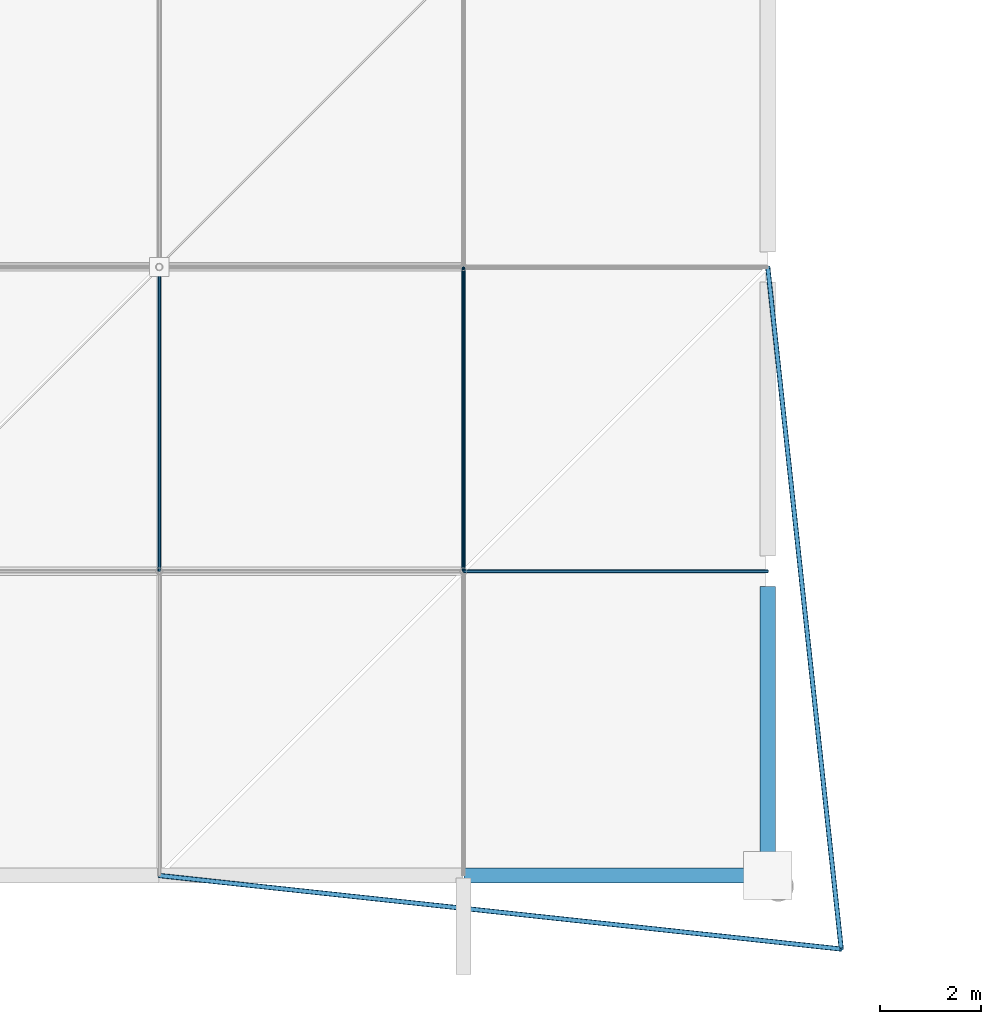
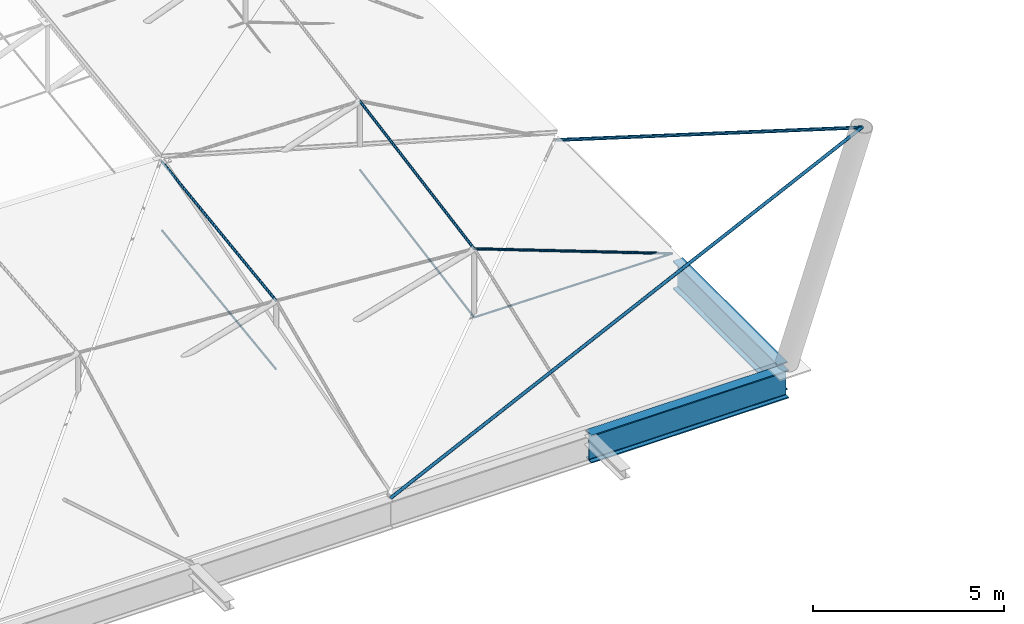
# One storey, part 35 of 132: 8 members, 2 beams.
"""IFC4 building model written with IfcOpenShell, lengths in metres."""

import ifcopenshell
import ifcopenshell.guid

model = None  # the IFC model being written
_history = None  # IfcOwnerHistory: only IFC2X3 demands one
_inside = {}  # id of a spatial element -> (the spatial element, [elements in it])
_under = {}  # id of a project, library or spatial element -> (it, [spatial elements below it])
_declared = {}  # id of a project -> (the project, [libraries it declares])
_typed = {}  # id of a type object -> (the type object, [elements of that type])
_made_of = {}  # id of a material, layer set ... -> (it, [elements and type objects made of it])


def new_model(schema):
    """Start an empty IFC model of exactly this schema.

    Asked for "IFC4X3", IfcOpenShell would pick the latest addendum, in which some entities
    have other attributes; the version numbers below select the first issue.
    IFC2X3 requires an IfcOwnerHistory on every rooted entity: one is made here for all.
    """
    global model, _history
    if schema == "IFC4X3":
        model = ifcopenshell.file(schema_version=(4, 3, 0, 0))
    else:
        model = ifcopenshell.file(schema=schema)
    _inside.clear()
    _under.clear()
    _declared.clear()
    _typed.clear()
    _made_of.clear()
    _history = None
    if model.schema == "IFC2X3":
        org = make("IfcOrganization", Name="unknown")
        user = make(
            "IfcPersonAndOrganization",
            ThePerson=make("IfcPerson", FamilyName="unknown"),
            TheOrganization=org,
        )
        app = make(
            "IfcApplication",
            ApplicationDeveloper=org,
            Version="unknown",
            ApplicationFullName="unknown",
            ApplicationIdentifier="unknown",
        )
        _history = make(
            "IfcOwnerHistory",
            OwningUser=user,
            OwningApplication=app,
            ChangeAction="ADDED",
            CreationDate=0,
        )
    return model


def make(cls, **values):
    """One entity of the class cls with the attributes given. An attribute that is None is left unset."""
    return model.create_entity(
        cls, **{name: value for name, value in values.items() if value is not None}
    )


def rooted(cls, **values):
    """An entity with a GlobalId (a new one), such as an element, a storey or a relation."""
    return make(cls, GlobalId=ifcopenshell.guid.new(), OwnerHistory=_history, **values)


def si_unit(unit_type, name, prefix=None):
    """IfcSIUnit, for example si_unit("LENGTHUNIT", "METRE", prefix="MILLI")."""
    return make("IfcSIUnit", UnitType=unit_type, Prefix=prefix, Name=name)


def assignment(units):
    """IfcUnitAssignment: the units of a project."""
    return None if units is None else make("IfcUnitAssignment", Units=units)


def point(xyz):
    """IfcCartesianPoint."""
    return None if xyz is None else make("IfcCartesianPoint", Coordinates=xyz)


def direction(xyz):
    """IfcDirection."""
    return None if xyz is None else make("IfcDirection", DirectionRatios=xyz)


def frame(location, z_axis=None, x_axis=None):
    """IfcAxis2Placement3D, a coordinate frame: its origin and axes. An axis left out is left unset."""
    return make(
        "IfcAxis2Placement3D",
        Location=point(location),
        Axis=direction(z_axis),
        RefDirection=direction(x_axis),
    )


def frame_2d(location, x_axis=None):
    """IfcAxis2Placement2D, a coordinate frame in the plane: its origin and x axis."""
    return make(
        "IfcAxis2Placement2D", Location=point(location), RefDirection=direction(x_axis)
    )


def origin():
    """The frame at (0, 0, 0) with its axes left unset."""
    return frame((0.0, 0.0, 0.0))


def origin_2d():
    """The frame at (0, 0) in the plane with its x axis left unset."""
    return frame_2d((0.0, 0.0))


def place(relative_to, where):
    """IfcLocalPlacement: puts the frame where relative to a parent placement (None: the world)."""
    return make(
        "IfcLocalPlacement", PlacementRelTo=relative_to, RelativePlacement=where
    )


def context(
    kind, dimensions, precision=None, world=None, true_north=None, identifier=None
):
    """IfcGeometricRepresentationContext, for example the 3D "Model" context."""
    return make(
        "IfcGeometricRepresentationContext",
        ContextIdentifier=identifier,
        ContextType=kind,
        CoordinateSpaceDimension=dimensions,
        Precision=precision,
        WorldCoordinateSystem=world,
        TrueNorth=true_north,
    )


def subcontext(parent, identifier, kind, view, scale=None):
    """IfcGeometricRepresentationSubContext, for example "Body" below "Model"."""
    return make(
        "IfcGeometricRepresentationSubContext",
        ContextIdentifier=identifier,
        ContextType=kind,
        ParentContext=parent,
        TargetScale=scale,
        TargetView=view,
    )


def project(units=None, contexts=None):
    """IfcProject with its units and contexts."""
    return rooted(
        "IfcProject",
        Name="project",
        RepresentationContexts=contexts,
        UnitsInContext=assignment(units),
    )


def spatial(cls, under=None, at=None, **own):
    """A site, building, storey or space (cls), placed at a placement, below another one or the project."""
    s = rooted(cls, ObjectPlacement=at, **own)
    if under is not None:
        _under.setdefault(under.id(), (under, []))[1].append(s)
    return s


def profile(cls, at=None, kind="AREA", **sizes):
    """A parametric profile (cls). Its sizes go by their IFC names, for example OverallWidth=200.0."""
    return make(cls, ProfileType=kind, Position=at, **sizes)


def circle(**sizes):
    """IfcCircleProfileDef."""
    return profile("IfcCircleProfileDef", **sizes)


def i_section(**sizes):
    """IfcIShapeProfileDef."""
    return profile("IfcIShapeProfileDef", **sizes)


def extrude(swept, where, along, depth):
    """IfcExtrudedAreaSolid: the profile swept, set in the frame where, extruded along a direction by depth."""
    return make(
        "IfcExtrudedAreaSolid",
        SweptArea=swept,
        Position=where,
        ExtrudedDirection=direction(along),
        Depth=depth,
    )


def shape(context_of_items, identifier, shape_type, items):
    """IfcShapeRepresentation: the items that make up one representation, for example the "Body"."""
    return make(
        "IfcShapeRepresentation",
        ContextOfItems=context_of_items,
        RepresentationIdentifier=identifier,
        RepresentationType=shape_type,
        Items=items,
    )


def material(Name=None, Category=None):
    """IfcMaterial."""
    return make("IfcMaterial", Name=Name, Category=Category)


def material_profile(
    of_material, cross_section, Name=None, Category=None, Priority=None
):
    """IfcMaterialProfile: a cross section and its material."""
    return make(
        "IfcMaterialProfile",
        Name=Name,
        Material=of_material,
        Profile=cross_section,
        Priority=Priority,
        Category=Category,
    )


def profile_set(profiles, Name=None, composite=None):
    """IfcMaterialProfileSet."""
    return make(
        "IfcMaterialProfileSet",
        Name=Name,
        MaterialProfiles=profiles,
        CompositeProfile=composite,
    )


def made_of(thing, what):
    """Note that an element or type object is made of a material, layer set ...; save() writes the relation."""
    if what is not None:
        _made_of.setdefault(what.id(), (what, []))[1].append(thing)
    return thing


def type_object(cls, material=None, **own):
    """A type object (cls), such as IfcWallType, which elements share."""
    return made_of(rooted(cls, **own), material)


def element(
    cls,
    number,
    at=None,
    inside=None,
    cuts=None,
    type_object=None,
    material=None,
    context=None,
    identifier="Body",
    shape_type=None,
    held_by="IfcProductDefinitionShape",
    body=None,
    shapes=None,
    **own,
):
    """One element of the class cls, such as IfcWall. Its Tag is "e" and its number.

    at: its placement. inside: the storey or other place that contains it. cuts: it is an
    opening in that element (IfcRelVoidsElement). A single representation is given by context,
    identifier, shape_type and body (its items); several are given by shapes. held_by: the class
    of the entity that holds the representations. save() writes the other relations.
    """
    e = rooted(cls, Tag="e%d" % number, ObjectPlacement=at, **own)
    if body is not None:
        shapes = [shape(context, identifier, shape_type, body)]
    if shapes is not None:
        e.Representation = make(held_by, Representations=shapes)
    if inside is not None:
        _inside.setdefault(inside.id(), (inside, []))[1].append(e)
    if cuts is not None:
        rooted(
            "IfcRelVoidsElement", RelatingBuildingElement=cuts, RelatedOpeningElement=e
        )
    if type_object is not None:
        _typed.setdefault(type_object.id(), (type_object, []))[1].append(e)
    return made_of(e, material)


def aggregate(whole, parts):
    """IfcRelAggregates: a whole, such as a stair, and the parts it consists of."""
    return rooted("IfcRelAggregates", RelatingObject=whole, RelatedObjects=parts)


def save(model, path):
    """Write the relations noted so far, then the file.

    IfcRelAggregates (storeys below a building ...), IfcRelContainedInSpatialStructure (elements
    in a storey), IfcRelDefinesByType, IfcRelAssociatesMaterial and IfcRelDeclares: one each for
    every whole, place, type object, material and project.
    """
    for whole, parts in _under.values():
        aggregate(whole, parts)
    for where, things in _inside.values():
        rooted(
            "IfcRelContainedInSpatialStructure",
            RelatedElements=things,
            RelatingStructure=where,
        )
    for kind, things in _typed.values():
        rooted("IfcRelDefinesByType", RelatedObjects=things, RelatingType=kind)
    for what, things in _made_of.values():
        rooted("IfcRelAssociatesMaterial", RelatedObjects=things, RelatingMaterial=what)
    for by, libraries in _declared.values():
        rooted("IfcRelDeclares", RelatingContext=by, RelatedDefinitions=libraries)
    model.write(path)


model = new_model("IFC4")

# Units and contexts
model_context = context("Model", 3, precision=1e-05, world=origin(), true_north=direction((0.0, 1.0)))
body_context = subcontext(model_context, "Body", "Model", "MODEL_VIEW")
ifc_project = project(units=[si_unit("LENGTHUNIT", "METRE"), si_unit("AREAUNIT", "SQUARE_METRE"), si_unit("VOLUMEUNIT", "CUBIC_METRE"), si_unit("PLANEANGLEUNIT", "RADIAN"), si_unit("MASSUNIT", "GRAM", prefix="KILO")], contexts=[model_context])

# Site, building, storey
site_placement = place(None, origin())
site = spatial("IfcSite", under=ifc_project, at=site_placement, CompositionType="ELEMENT")
building_placement = place(site_placement, origin())
building = spatial("IfcBuilding", under=site, at=building_placement, Name="Deido Ridge Mobility Hub", CompositionType="ELEMENT")
storey_placement = place(building_placement, frame((0.0, 0.0, 8.39990234375)))
storey = spatial("IfcBuildingStorey", under=building, at=storey_placement, Name="L02", CompositionType="ELEMENT", Elevation=8.39990234375)

# Beams
ifc_material_1 = material(Name="Steel S355J2 EN 10025-2", Category="steel")
ifc_material_profile_1 = material_profile(ifc_material_1, i_section(OverallWidth=0.300048828125, OverallDepth=0.89990234375, WebThickness=0.0185546875, FlangeThickness=0.034912109375, FilletRadius=0.027099609375, at=origin_2d()), Name="HEB 900")
ifc_profile_set_1 = profile_set([ifc_material_profile_1], Name="Steel S355J2 EN 10025-2")
beam_type = type_object("IfcBeamType", Name="BM-RING-HEB900", PredefinedType="USERDEFINED", material=ifc_profile_set_1)
beam_1_placement = place(storey_placement, frame((54.008056640625, 0.0, -0.449951171875), z_axis=(1.0, 0.0, 0.0), x_axis=(0.0, 1.0, 0.0)))
element("IfcBeam", 1, at=beam_1_placement, inside=storey, type_object=beam_type, Name="Compression ring beam RB1", ObjectType="RING BEAM", PredefinedType="USERDEFINED", context=body_context, shape_type="SweptSolid", body=[
    extrude(i_section(OverallWidth=0.300048828125, OverallDepth=0.89990234375, WebThickness=0.0185546875, FlangeThickness=0.034912109375, FilletRadius=0.027099609375, at=origin_2d()), origin(), (0.0, 0.0, 1.0), 5.97705078125),
])
beam_2_placement = place(storey_placement, frame((60.0, 0.199951171875, -0.449951171875), z_axis=(0.0, 1.0, 0.0), x_axis=(-1.0, 0.0, 0.0)))
element("IfcBeam", 2, at=beam_2_placement, inside=storey, type_object=beam_type, Name="Compression ring beam RB1", ObjectType="RING BEAM", PredefinedType="USERDEFINED", context=body_context, shape_type="SweptSolid", body=[
    extrude(i_section(OverallWidth=0.300048828125, OverallDepth=0.89990234375, WebThickness=0.0185546875, FlangeThickness=0.034912109375, FilletRadius=0.027099609375, at=origin_2d()), origin(), (0.0, 0.0, 1.0), 5.5),
])

# Members
ifc_material_2 = material(Name="Steel S460M EN 10025-4", Category="steel")
ifc_material_profile_2 = material_profile(ifc_material_2, circle(Radius=0.030029296875, at=origin_2d()), Name="CABLE D60")
ifc_profile_set_2 = profile_set([ifc_material_profile_2], Name="Steel S460M EN 10025-4")
member_type_1 = type_object("IfcMemberType", Name="MEM-CBL-D60", PredefinedType="USERDEFINED", material=ifc_profile_set_2)
member_1_placement = place(storey_placement, frame((54.0, 6.0, 0.053466796875), z_axis=(0.99996029822, 0.0, -0.008910779025), x_axis=(0.0, 1.0, 0.0)))
element("IfcMember", 3, at=member_1_placement, inside=storey, type_object=member_type_1, Name="Saddle lower stabilizing cable CB3", ObjectType="TENSION CABLE", PredefinedType="USERDEFINED", context=body_context, shape_type="SweptSolid", body=[
    extrude(circle(Radius=0.030029296875, at=origin_2d()), origin(), (0.0, 0.0, 1.0), 6.000244140625),
])
member_2_placement = place(storey_placement, frame((48.0, 6.0, 0.489990234375), z_axis=(0.0, 0.990788415376, 0.135419038381), x_axis=(-1.0, 0.0, 0.0)))
element("IfcMember", 4, at=member_2_placement, inside=storey, type_object=member_type_1, Name="Saddle transverse valley cable CB3", ObjectType="TENSION CABLE", PredefinedType="USERDEFINED", context=body_context, shape_type="SweptSolid", body=[
    extrude(circle(Radius=0.030029296875, at=origin_2d()), origin(), (0.0, 0.0, 1.0), 6.0556640625),
])
member_3_placement = place(storey_placement, frame((54.0, 6.0, 0.053466796875), z_axis=(0.0, 0.983801946657, 0.179258834519), x_axis=(-1.0, 0.0, 0.0)))
element("IfcMember", 5, at=member_3_placement, inside=storey, type_object=member_type_1, Name="Saddle transverse valley cable CB3", ObjectType="TENSION CABLE", PredefinedType="USERDEFINED", context=body_context, shape_type="SweptSolid", body=[
    extrude(circle(Radius=0.030029296875, at=origin_2d()), origin(), (0.0, 0.0, 1.0), 6.098876953125),
])
ifc_material_profile_3 = material_profile(ifc_material_2, circle(Radius=0.0380859375, at=origin_2d()), Name="CABLE D76")
ifc_profile_set_3 = profile_set([ifc_material_profile_3], Name="Steel S460M EN 10025-4")
member_type_2 = type_object("IfcMemberType", Name="MEM-CBL-D76", PredefinedType="USERDEFINED", material=ifc_profile_set_3)
member_4_placement = place(storey_placement, frame((54.0, 6.0, 2.25341796875), z_axis=(0.936153732389, 0.0, -0.351590940346), x_axis=(0.0, 1.0, 0.0)))
element("IfcMember", 6, at=member_4_placement, inside=storey, type_object=member_type_2, Name="Saddle upper longitudinal cable CB2", ObjectType="TENSION CABLE", PredefinedType="USERDEFINED", context=body_context, shape_type="SweptSolid", body=[
    extrude(circle(Radius=0.0380859375, at=origin_2d()), origin(), (0.0, 0.0, 1.0), 6.4091796875),
])
member_5_placement = place(storey_placement, frame((48.0, 6.0, 2.690185546875), z_axis=(0.0, 0.990793823782, 0.135379462087), x_axis=(-1.0, 0.0, 0.0)))
element("IfcMember", 7, at=member_5_placement, inside=storey, type_object=member_type_2, Name="Saddle transverse ridge cable CB2", ObjectType="TENSION CABLE", PredefinedType="USERDEFINED", context=body_context, shape_type="SweptSolid", body=[
    extrude(circle(Radius=0.0380859375, at=origin_2d()), origin(), (0.0, 0.0, 1.0), 6.0556640625),
])
member_6_placement = place(storey_placement, frame((54.0, 6.0, 2.25341796875), z_axis=(0.0, 0.983801946657, 0.179258834519), x_axis=(-1.0, 0.0, 0.0)))
element("IfcMember", 8, at=member_6_placement, inside=storey, type_object=member_type_2, Name="Saddle transverse ridge cable CB2", ObjectType="TENSION CABLE", PredefinedType="USERDEFINED", context=body_context, shape_type="SweptSolid", body=[
    extrude(circle(Radius=0.0380859375, at=origin_2d()), origin(), (0.0, 0.0, 1.0), 6.098876953125),
])
ifc_material_profile_4 = material_profile(ifc_material_2, circle(Radius=0.047607421875, at=origin_2d()), Name="CABLE D95")
ifc_profile_set_4 = profile_set([ifc_material_profile_4], Name="Steel S460M EN 10025-4")
member_type_3 = type_object("IfcMemberType", Name="MEM-CBL-D95", PredefinedType="USERDEFINED", material=ifc_profile_set_4)
for number, where, z_axis, x_axis, name in (
    (9, (61.449951171875, -1.449951171875, 8.050048828125), (-0.854405569551, 0.092107870207, -0.511377808441), (-0.107182436689, -0.994239370205, 0.0), "Mast M2 stay cable CB1"),
    (10, (61.449951171875, -1.449951171875, 8.050048828125), (-0.092107870207, 0.854405569551, -0.511377808441), (-0.994239370205, -0.107182436689, 0.0), "Mast M2 stay cable CB1"),
):
    element("IfcMember", number, at=place(storey_placement, frame(where, z_axis=z_axis, x_axis=x_axis)), inside=storey, type_object=member_type_3, Name=name, ObjectType="TENSION CABLE", PredefinedType="USERDEFINED", context=body_context, shape_type="SweptSolid", body=[
        extrude(circle(Radius=0.047607421875, at=origin_2d()), origin(), (0.0, 0.0, 1.0), 15.741943359375),
    ])

save(model, "model.ifc")
